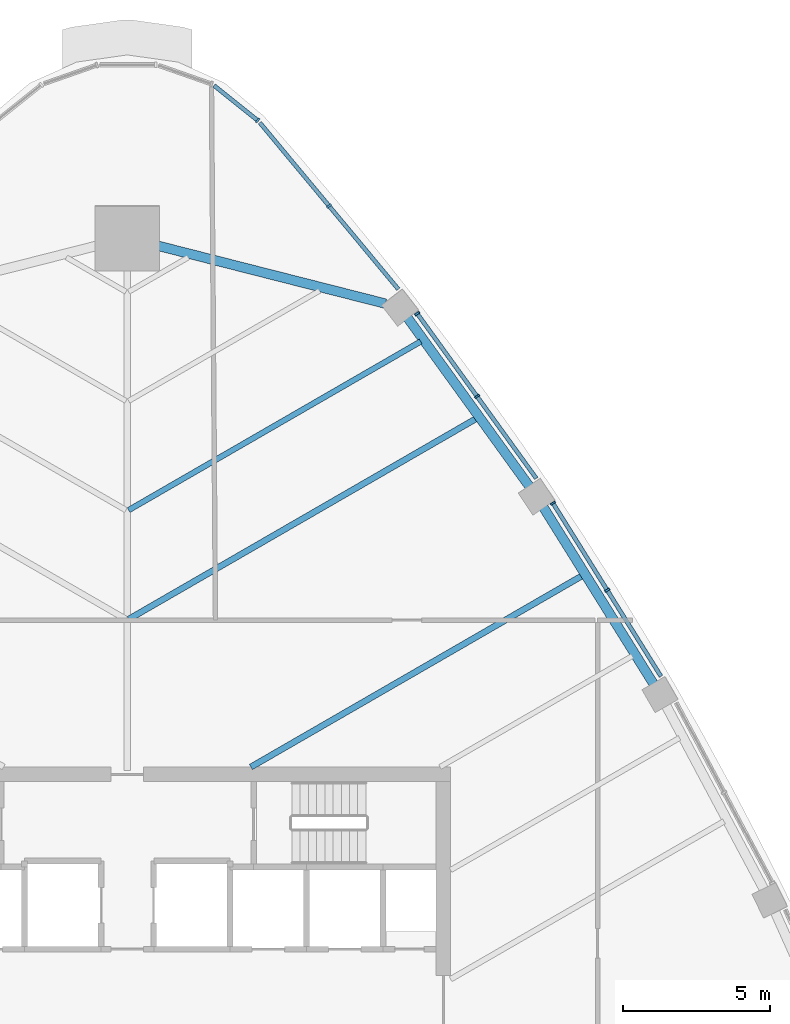
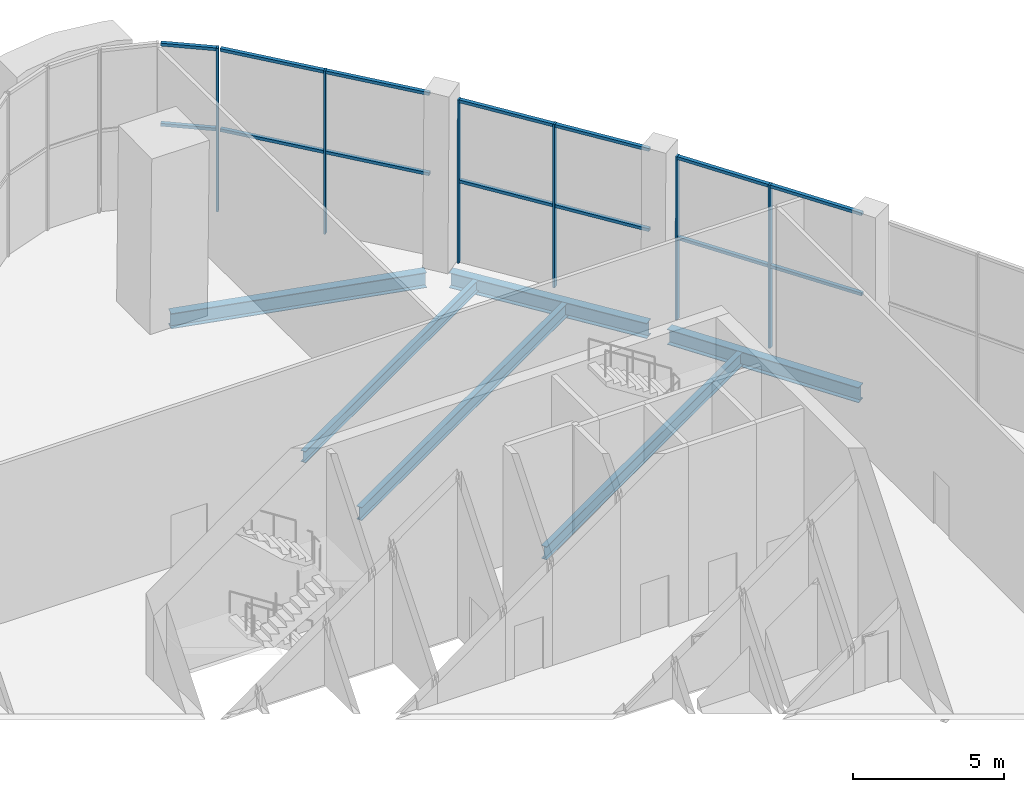
# One storey, part 7 of 15: 20 members, 6 beams, 4 elements without a shape of their own.
"""IFC4 building model written with IfcOpenShell, lengths in metres."""

from ifc_helpers import new_model, si_unit, direction, frame, origin, origin_2d, place, context, subcontext, project, spatial, rectangle, i_section, extrude, material, layer, layer_set, material_profile, profile_set, type_object, element, aggregate, save


model = new_model("IFC4")

# Units and contexts
model_context = context("Model", 3, precision=1e-05, world=origin(), true_north=direction((0.0, 1.0)))
body_context = subcontext(model_context, "Body", "Model", "MODEL_VIEW")
ifc_project = project(units=[si_unit("LENGTHUNIT", "METRE"), si_unit("AREAUNIT", "SQUARE_METRE"), si_unit("VOLUMEUNIT", "CUBIC_METRE"), si_unit("PLANEANGLEUNIT", "RADIAN"), si_unit("MASSUNIT", "GRAM", prefix="KILO")], contexts=[model_context])

# Site, building, storey
site_placement = place(None, origin())
site = spatial("IfcSite", under=ifc_project, at=site_placement, CompositionType="ELEMENT")
building_placement = place(site_placement, origin())
building = spatial("IfcBuilding", under=site, at=building_placement, Name="Sierra Prisma Convention Tower", CompositionType="ELEMENT")
storey_placement = place(building_placement, frame((0.0, 0.0, 219.800048828125)))
storey = spatial("IfcBuildingStorey", under=building, at=storey_placement, Name="L49", CompositionType="ELEMENT", Elevation=219.800048828125)

# Curtain wall, members
ifc_material_1 = material(Name="Aluminium and glass curtain wall", Category="aluminium")
ifc_layer = layer(ifc_material_1, 0.179931640625)
ifc_layer_set = layer_set([ifc_layer], Name="CW-4 Sky lobby double-height curtain wall")
curtain_wall_type = type_object("IfcCurtainWallType", Name="CW-4 Sky lobby double-height curtain wall", PredefinedType="NOTDEFINED", material=ifc_layer_set)
curtain_wall_1_placement = place(storey_placement, origin())
curtain_wall_1 = element("IfcCurtainWall", 1, at=curtain_wall_1_placement, inside=storey, type_object=curtain_wall_type, Name="CW-4 NE4 L49", PredefinedType="NOTDEFINED")
ifc_material_2 = material(Name="Aluminium 6063-T6 bronze anodised", Category="aluminium")
ifc_material_profile_1 = material_profile(ifc_material_2, rectangle(XDim=0.179931640625, YDim=0.070068359375, at=origin_2d()), Name="ALU MULLION 70x180")
ifc_profile_set_1 = profile_set([ifc_material_profile_1], Name="Aluminium 6063-T6 bronze anodised")
member_type_1 = type_object("IfcMemberType", Name="CW mullion bronze", PredefinedType="MULLION", material=ifc_profile_set_1)
member_1_placement = place(storey_placement, frame((16.3291015625, 14.015380859375, 0.0), z_axis=(0.0, 0.0, 1.0), x_axis=(-0.848515799689, -0.529170046089, 0.0)))
member_1 = element("IfcMember", 2, at=member_1_placement, type_object=member_type_1, Name="CW-4 mullion NE4.2", PredefinedType="MULLION", context=body_context, shape_type="SweptSolid", body=[
    extrude(rectangle(XDim=0.179931640625, YDim=0.070068359375, at=origin_2d()), origin(), (0.0, 0.0, 1.0), 6.599853515625),
])
member_2_placement = place(storey_placement, frame((14.48193359375, 16.97705078125, 0.0), z_axis=(0.0, 0.0, 1.0), x_axis=(-0.848515799689, -0.529170046089, 0.0)))
member_2 = element("IfcMember", 3, at=member_2_placement, type_object=member_type_1, Name="CW-4 mullion NE4.3", PredefinedType="MULLION", context=body_context, shape_type="SweptSolid", body=[
    extrude(rectangle(XDim=0.179931640625, YDim=0.070068359375, at=origin_2d()), origin(), (0.0, 0.0, 1.0), 6.599853515625),
])

curtain_wall_2_placement = place(storey_placement, origin())
curtain_wall_2 = element("IfcCurtainWall", 4, at=curtain_wall_2_placement, inside=storey, type_object=curtain_wall_type, Name="CW-4 NE5 L49", PredefinedType="NOTDEFINED")
member_3_placement = place(storey_placement, frame((11.899658203125, 20.60888671875, 0.0), z_axis=(0.0, 0.0, 1.0), x_axis=(-0.810571580605, -0.585639575776, 0.0)))
member_3 = element("IfcMember", 5, at=member_3_placement, type_object=member_type_1, Name="CW-4 mullion NE5.2", PredefinedType="MULLION", context=body_context, shape_type="SweptSolid", body=[
    extrude(rectangle(XDim=0.179931640625, YDim=0.070068359375, at=origin_2d()), origin(), (0.0, 0.0, 1.0), 6.599853515625),
])
member_4_placement = place(storey_placement, frame((9.864501953125, 23.42578125, 0.0), z_axis=(0.0, 0.0, 1.0), x_axis=(-0.810571580605, -0.585639575776, 0.0)))
member_4 = element("IfcMember", 6, at=member_4_placement, type_object=member_type_1, Name="CW-4 mullion NE5.3", PredefinedType="MULLION", context=body_context, shape_type="SweptSolid", body=[
    extrude(rectangle(XDim=0.179931640625, YDim=0.070068359375, at=origin_2d()), origin(), (0.0, 0.0, 1.0), 6.599853515625),
])

# Curtain wall, member
curtain_wall_3_placement = place(storey_placement, origin())
curtain_wall_3 = element("IfcCurtainWall", 7, at=curtain_wall_3_placement, inside=storey, type_object=curtain_wall_type, Name="CW-4 NE6 L49", PredefinedType="NOTDEFINED")
member_5_placement = place(storey_placement, frame((6.865966796875, 27.087646484375, 0.0), z_axis=(0.0, 0.0, 1.0), x_axis=(-0.768875572968, -0.639398430787, 0.0)))
member_5 = element("IfcMember", 8, at=member_5_placement, type_object=member_type_1, Name="CW-4 mullion NE6.2", PredefinedType="MULLION", context=body_context, shape_type="SweptSolid", body=[
    extrude(rectangle(XDim=0.179931640625, YDim=0.070068359375, at=origin_2d()), origin(), (0.0, 0.0, 1.0), 6.599853515625),
])

curtain_wall_4_placement = place(storey_placement, origin())
curtain_wall_4 = element("IfcCurtainWall", 9, at=curtain_wall_4_placement, inside=storey, type_object=curtain_wall_type, Name="CW-4 N1 L49", PredefinedType="NOTDEFINED")
member_6_placement = place(storey_placement, frame((4.436767578125, 29.997802734375, 0.0), z_axis=(0.0, 0.0, 1.0), x_axis=(-0.624464615736, -0.781053099151, 0.0)))
member_6 = element("IfcMember", 10, at=member_6_placement, type_object=member_type_1, Name="CW-4 mullion N1.1", PredefinedType="MULLION", context=body_context, shape_type="SweptSolid", body=[
    extrude(rectangle(XDim=0.179931640625, YDim=0.070068359375, at=origin_2d()), origin(), (0.0, 0.0, 1.0), 6.599853515625),
])

# Member
ifc_material_3 = material(Name="Aluminium 6063-T6 bronze anodised", Category="aluminium")
ifc_material_profile_2 = material_profile(ifc_material_3, rectangle(XDim=0.139892578125, YDim=0.1201171875, at=origin_2d()), Name="ALU TRANSOM 120x140")
ifc_profile_set_2 = profile_set([ifc_material_profile_2], Name="Aluminium 6063-T6 bronze anodised")
member_type_2 = type_object("IfcMemberType", Name="CW transom bronze", PredefinedType="USERDEFINED", material=ifc_profile_set_2)
member_7_placement = place(storey_placement, frame((18.157470703125, 11.083251953125, 6.5400390625), z_axis=(-0.529126081823, 0.848543216068, 0.0), x_axis=(-0.848543216068, -0.529126081823, 0.0)))
member_7 = element("IfcMember", 11, at=member_7_placement, type_object=member_type_2, Name="CW-4 transom NE4.1", ObjectType="TRANSOM", PredefinedType="USERDEFINED", context=body_context, shape_type="SweptSolid", body=[
    extrude(rectangle(XDim=0.139892578125, YDim=0.1201171875, at=origin_2d()), origin(), (0.0, 0.0, 1.0), 3.42041015625),
])

member_8_placement = place(storey_placement, frame((18.157470703125, 11.083251953125, 3.300048828125), z_axis=(-0.529126081823, 0.848543216068, 0.0), x_axis=(-0.848543216068, -0.529126081823, 0.0)))
member_8 = element("IfcMember", 12, at=member_8_placement, type_object=member_type_2, Name="CW-4 transom NE4.1 mid", ObjectType="TRANSOM", PredefinedType="USERDEFINED", context=body_context, shape_type="SweptSolid", body=[
    extrude(rectangle(XDim=0.139892578125, YDim=0.1201171875, at=origin_2d()), origin(), (0.0, 0.0, 1.0), 3.42041015625),
])

member_9_placement = place(storey_placement, frame((16.310546875, 14.045166015625, 6.5400390625), z_axis=(-0.529177472992, 0.848511167916, 0.0), x_axis=(-0.848511167916, -0.529177472992, 0.0)))
member_9 = element("IfcMember", 13, at=member_9_placement, type_object=member_type_2, Name="CW-4 transom NE4.2", ObjectType="TRANSOM", PredefinedType="USERDEFINED", context=body_context, shape_type="SweptSolid", body=[
    extrude(rectangle(XDim=0.139892578125, YDim=0.1201171875, at=origin_2d()), origin(), (0.0, 0.0, 1.0), 3.42041015625),
])

member_10_placement = place(storey_placement, frame((16.310546875, 14.045166015625, 3.300048828125), z_axis=(-0.529177472992, 0.848511167916, 0.0), x_axis=(-0.848511167916, -0.529177472992, 0.0)))
member_10 = element("IfcMember", 14, at=member_10_placement, type_object=member_type_2, Name="CW-4 transom NE4.2 mid", ObjectType="TRANSOM", PredefinedType="USERDEFINED", context=body_context, shape_type="SweptSolid", body=[
    extrude(rectangle(XDim=0.139892578125, YDim=0.1201171875, at=origin_2d()), origin(), (0.0, 0.0, 1.0), 3.42041015625),
])

aggregate(curtain_wall_1, [member_1, member_2, member_7, member_8, member_9, member_10])

member_11_placement = place(storey_placement, frame((13.91455078125, 17.8203125, 6.5400390625), z_axis=(-0.585658066793, 0.810558220488, 0.0), x_axis=(-0.810558220488, -0.585658066793, 0.0)))
member_11 = element("IfcMember", 15, at=member_11_placement, type_object=member_type_2, Name="CW-4 transom NE5.1", ObjectType="TRANSOM", PredefinedType="USERDEFINED", context=body_context, shape_type="SweptSolid", body=[
    extrude(rectangle(XDim=0.139892578125, YDim=0.1201171875, at=origin_2d()), origin(), (0.0, 0.0, 1.0), 3.4052734375),
])

member_12_placement = place(storey_placement, frame((13.91455078125, 17.8203125, 3.300048828125), z_axis=(-0.585658066793, 0.810558220488, 0.0), x_axis=(-0.810558220488, -0.585658066793, 0.0)))
member_12 = element("IfcMember", 16, at=member_12_placement, type_object=member_type_2, Name="CW-4 transom NE5.1 mid", ObjectType="TRANSOM", PredefinedType="USERDEFINED", context=body_context, shape_type="SweptSolid", body=[
    extrude(rectangle(XDim=0.139892578125, YDim=0.1201171875, at=origin_2d()), origin(), (0.0, 0.0, 1.0), 3.4052734375),
])

member_13_placement = place(storey_placement, frame((11.879150390625, 20.63720703125, 6.5400390625), z_axis=(-0.585610961359, 0.81059225381, 0.0), x_axis=(-0.81059225381, -0.585610961359, 0.0)))
member_13 = element("IfcMember", 17, at=member_13_placement, type_object=member_type_2, Name="CW-4 transom NE5.2", ObjectType="TRANSOM", PredefinedType="USERDEFINED", context=body_context, shape_type="SweptSolid", body=[
    extrude(rectangle(XDim=0.139892578125, YDim=0.1201171875, at=origin_2d()), origin(), (0.0, 0.0, 1.0), 3.4052734375),
])

member_14_placement = place(storey_placement, frame((11.879150390625, 20.63720703125, 3.300048828125), z_axis=(-0.585610961359, 0.81059225381, 0.0), x_axis=(-0.81059225381, -0.585610961359, 0.0)))
member_14 = element("IfcMember", 18, at=member_14_placement, type_object=member_type_2, Name="CW-4 transom NE5.2 mid", ObjectType="TRANSOM", PredefinedType="USERDEFINED", context=body_context, shape_type="SweptSolid", body=[
    extrude(rectangle(XDim=0.139892578125, YDim=0.1201171875, at=origin_2d()), origin(), (0.0, 0.0, 1.0), 3.4052734375),
])

aggregate(curtain_wall_2, [member_3, member_4, member_11, member_12, member_13, member_14])

member_15_placement = place(storey_placement, frame((9.22314453125, 24.253173828125, 6.5400390625), z_axis=(-0.63938173109, 0.768889460162, 0.0), x_axis=(-0.768889460162, -0.63938173109, 0.0)))
member_15 = element("IfcMember", 19, at=member_15_placement, type_object=member_type_2, Name="CW-4 transom NE6.1", ObjectType="TRANSOM", PredefinedType="USERDEFINED", context=body_context, shape_type="SweptSolid", body=[
    extrude(rectangle(XDim=0.139892578125, YDim=0.1201171875, at=origin_2d()), origin(), (0.0, 0.0, 1.0), 3.651611328125),
])

member_16_placement = place(storey_placement, frame((9.22314453125, 24.253173828125, 3.300048828125), z_axis=(-0.63938173109, 0.768889460162, 0.0), x_axis=(-0.768889460162, -0.63938173109, 0.0)))
member_16 = element("IfcMember", 20, at=member_16_placement, type_object=member_type_2, Name="CW-4 transom NE6.1 mid", ObjectType="TRANSOM", PredefinedType="USERDEFINED", context=body_context, shape_type="SweptSolid", body=[
    extrude(rectangle(XDim=0.139892578125, YDim=0.1201171875, at=origin_2d()), origin(), (0.0, 0.0, 1.0), 3.651611328125),
])

member_17_placement = place(storey_placement, frame((6.843505859375, 27.114501953125, 6.5400390625), z_axis=(-0.63938173109, 0.768889460162, 0.0), x_axis=(-0.768889460162, -0.63938173109, 0.0)))
member_17 = element("IfcMember", 21, at=member_17_placement, type_object=member_type_2, Name="CW-4 transom NE6.2", ObjectType="TRANSOM", PredefinedType="USERDEFINED", context=body_context, shape_type="SweptSolid", body=[
    extrude(rectangle(XDim=0.139892578125, YDim=0.1201171875, at=origin_2d()), origin(), (0.0, 0.0, 1.0), 3.651611328125),
])

member_18_placement = place(storey_placement, frame((6.843505859375, 27.114501953125, 3.300048828125), z_axis=(-0.63938173109, 0.768889460162, 0.0), x_axis=(-0.768889460162, -0.63938173109, 0.0)))
member_18 = element("IfcMember", 22, at=member_18_placement, type_object=member_type_2, Name="CW-4 transom NE6.2 mid", ObjectType="TRANSOM", PredefinedType="USERDEFINED", context=body_context, shape_type="SweptSolid", body=[
    extrude(rectangle(XDim=0.139892578125, YDim=0.1201171875, at=origin_2d()), origin(), (0.0, 0.0, 1.0), 3.651611328125),
])

aggregate(curtain_wall_3, [member_5, member_15, member_16, member_17, member_18])

member_19_placement = place(storey_placement, frame((4.409423828125, 30.01953125, 6.5400390625), z_axis=(-0.781034652736, 0.624487687009, 0.0), x_axis=(-0.624487687009, -0.781034652736, 0.0)))
member_19 = element("IfcMember", 23, at=member_19_placement, type_object=member_type_2, Name="CW-4 transom N1.1", ObjectType="TRANSOM", PredefinedType="USERDEFINED", context=body_context, shape_type="SweptSolid", body=[
    extrude(rectangle(XDim=0.139892578125, YDim=0.1201171875, at=origin_2d()), origin(), (0.0, 0.0, 1.0), 1.86669921875),
])

member_20_placement = place(storey_placement, frame((4.409423828125, 30.01953125, 3.300048828125), z_axis=(-0.781034652736, 0.624487687009, 0.0), x_axis=(-0.624487687009, -0.781034652736, 0.0)))
member_20 = element("IfcMember", 24, at=member_20_placement, type_object=member_type_2, Name="CW-4 transom N1.1 mid", ObjectType="TRANSOM", PredefinedType="USERDEFINED", context=body_context, shape_type="SweptSolid", body=[
    extrude(rectangle(XDim=0.139892578125, YDim=0.1201171875, at=origin_2d()), origin(), (0.0, 0.0, 1.0), 1.86669921875),
])

aggregate(curtain_wall_4, [member_6, member_19, member_20])

# Beams
ifc_material_4 = material(Name="Steel ASTM A992 Gr 50", Category="steel")
ifc_material_profile_3 = material_profile(ifc_material_4, i_section(OverallWidth=0.18994140625, OverallDepth=0.45703125, WebThickness=0.009033203125, FlangeThickness=0.014404296875, at=origin_2d()), Name="W460x74")
ifc_profile_set_3 = profile_set([ifc_material_profile_3], Name="Steel ASTM A992 Gr 50")
beam_type_1 = type_object("IfcBeamType", Name="Floor joist W460x74", PredefinedType="JOIST", material=ifc_profile_set_3)
beam_1_placement = place(storey_placement, frame((9.980224609375, 22.475830078125, -0.378662109375), z_axis=(-0.866025033342, -0.500000641624, 0.0), x_axis=(0.500000641624, -0.866025033342, 0.0)))
element("IfcBeam", 25, at=beam_1_placement, inside=storey, type_object=beam_type_1, Name="Floor joist L49 NE12", PredefinedType="JOIST", context=body_context, shape_type="SweptSolid", body=[
    extrude(i_section(OverallWidth=0.18994140625, OverallDepth=0.45703125, WebThickness=0.009033203125, FlangeThickness=0.014404296875, at=origin_2d()), origin(), (0.0, 0.0, 1.0), 11.47119140625),
])
ifc_material_5 = material(Name="Steel ASTM A992 Gr 50", Category="steel")
ifc_material_profile_4 = material_profile(ifc_material_5, i_section(OverallWidth=0.208984375, OverallDepth=0.532958984375, WebThickness=0.01025390625, FlangeThickness=0.015625, at=origin_2d()), Name="W530x92")
ifc_profile_set_4 = profile_set([ifc_material_profile_4], Name="Steel ASTM A992 Gr 50")
beam_type_2 = type_object("IfcBeamType", Name="Floor joist W530x92", PredefinedType="JOIST", material=ifc_profile_set_4)
beam_2_placement = place(storey_placement, frame((15.4775390625, 14.507080078125, -0.41650390625), z_axis=(-0.866028451357, -0.499994721413, 0.0), x_axis=(0.499994721413, -0.866028451357, 0.0)))
element("IfcBeam", 26, at=beam_2_placement, inside=storey, type_object=beam_type_2, Name="Floor joist L49 NE09", PredefinedType="JOIST", context=body_context, shape_type="SweptSolid", body=[
    extrude(i_section(OverallWidth=0.208984375, OverallDepth=0.532958984375, WebThickness=0.01025390625, FlangeThickness=0.015625, at=origin_2d()), origin(), (0.0, 0.0, 1.0), 13.014404296875),
])
beam_3_placement = place(storey_placement, frame((11.873779296875, 19.85498046875, -0.41650390625), z_axis=(-0.866024540661, -0.50000149497, 0.0), x_axis=(0.50000149497, -0.866024540661, 0.0)))
element("IfcBeam", 27, at=beam_3_placement, inside=storey, type_object=beam_type_2, Name="Floor joist L49 NE11", PredefinedType="JOIST", context=body_context, shape_type="SweptSolid", body=[
    extrude(i_section(OverallWidth=0.208984375, OverallDepth=0.532958984375, WebThickness=0.01025390625, FlangeThickness=0.015625, at=origin_2d()), origin(), (0.0, 0.0, 1.0), 13.65771484375),
])
ifc_material_6 = material(Name="Steel ASTM A992 Gr 50", Category="steel")
ifc_material_profile_5 = material_profile(ifc_material_6, i_section(OverallWidth=0.324951171875, OverallDepth=0.615966796875, WebThickness=0.013916015625, FlangeThickness=0.021484375, at=origin_2d()), Name="W610x174")
ifc_profile_set_5 = profile_set([ifc_material_profile_5], Name="Steel ASTM A992 Gr 50")
beam_type_3 = type_object("IfcBeamType", Name="Spandrel beam W610x174", PredefinedType="BEAM", material=ifc_profile_set_5)
beam_4_placement = place(storey_placement, frame((17.928466796875, 10.789794921875, -0.4580078125), z_axis=(-0.529188583051, 0.848504238981, 0.0), x_axis=(-0.848504238981, -0.529188583051, 0.0)))
element("IfcBeam", 28, at=beam_4_placement, inside=storey, type_object=beam_type_3, Name="Spandrel L49-10", PredefinedType="BEAM", context=body_context, shape_type="SweptSolid", body=[
    extrude(i_section(OverallWidth=0.324951171875, OverallDepth=0.615966796875, WebThickness=0.013916015625, FlangeThickness=0.021484375, at=origin_2d()), origin(), (0.0, 0.0, 1.0), 7.1787109375),
])
beam_5_placement = place(storey_placement, frame((13.705810546875, 17.511962890625, -0.4580078125), z_axis=(-0.585653210857, 0.810561729057, 0.0), x_axis=(-0.810561729057, -0.585653210857, 0.0)))
element("IfcBeam", 29, at=beam_5_placement, inside=storey, type_object=beam_type_3, Name="Spandrel L49-11", PredefinedType="BEAM", context=body_context, shape_type="SweptSolid", body=[
    extrude(i_section(OverallWidth=0.324951171875, OverallDepth=0.615966796875, WebThickness=0.013916015625, FlangeThickness=0.021484375, at=origin_2d()), origin(), (0.0, 0.0, 1.0), 7.178466796875),
])
beam_6_placement = place(storey_placement, frame((8.781005859375, 23.765380859375, -0.4580078125), z_axis=(-0.969137954015, 0.246519017699, 0.0), x_axis=(-0.246519017699, -0.969137954015, 0.0)))
element("IfcBeam", 30, at=beam_6_placement, inside=storey, type_object=beam_type_3, Name="Spandrel L49-12", PredefinedType="BEAM", context=body_context, shape_type="SweptSolid", body=[
    extrude(i_section(OverallWidth=0.324951171875, OverallDepth=0.615966796875, WebThickness=0.013916015625, FlangeThickness=0.021484375, at=origin_2d()), origin(), (0.0, 0.0, 1.0), 8.792236328125),
])

save(model, "model.ifc")
